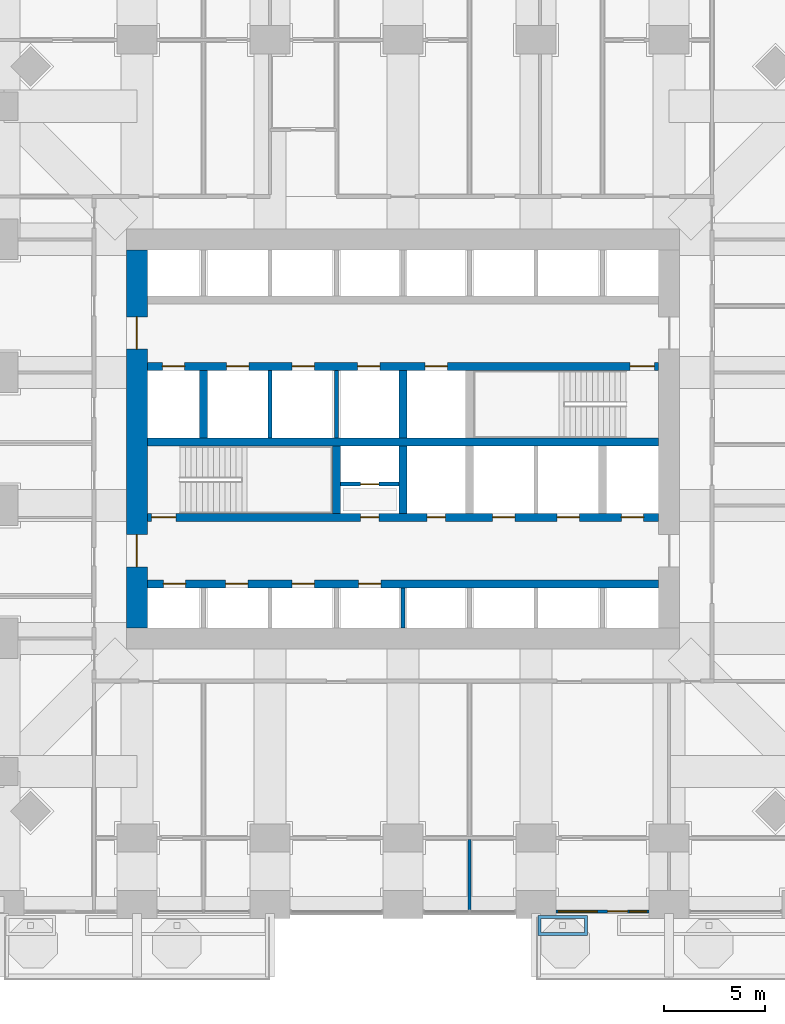
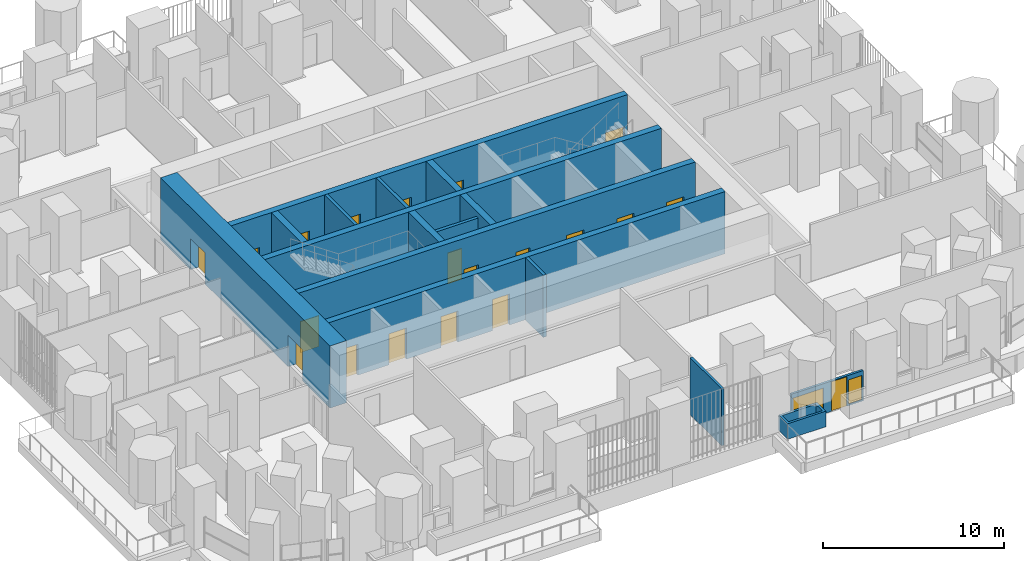
# One storey, part 18 of 27: 20 doors, 16 walls, 2 windows, 22 openings.
"""IFC4 building model written with IfcOpenShell, lengths in metres."""

import ifcopenshell
import ifcopenshell.guid

model = None  # the IFC model being written
_history = None  # IfcOwnerHistory: only IFC2X3 demands one
_inside = {}  # id of a spatial element -> (the spatial element, [elements in it])
_under = {}  # id of a project, library or spatial element -> (it, [spatial elements below it])
_declared = {}  # id of a project -> (the project, [libraries it declares])
_typed = {}  # id of a type object -> (the type object, [elements of that type])
_made_of = {}  # id of a material, layer set ... -> (it, [elements and type objects made of it])


def new_model(schema):
    """Start an empty IFC model of exactly this schema.

    Asked for "IFC4X3", IfcOpenShell would pick the latest addendum, in which some entities
    have other attributes; the version numbers below select the first issue.
    IFC2X3 requires an IfcOwnerHistory on every rooted entity: one is made here for all.
    """
    global model, _history
    if schema == "IFC4X3":
        model = ifcopenshell.file(schema_version=(4, 3, 0, 0))
    else:
        model = ifcopenshell.file(schema=schema)
    _inside.clear()
    _under.clear()
    _declared.clear()
    _typed.clear()
    _made_of.clear()
    _history = None
    if model.schema == "IFC2X3":
        org = make("IfcOrganization", Name="unknown")
        user = make(
            "IfcPersonAndOrganization",
            ThePerson=make("IfcPerson", FamilyName="unknown"),
            TheOrganization=org,
        )
        app = make(
            "IfcApplication",
            ApplicationDeveloper=org,
            Version="unknown",
            ApplicationFullName="unknown",
            ApplicationIdentifier="unknown",
        )
        _history = make(
            "IfcOwnerHistory",
            OwningUser=user,
            OwningApplication=app,
            ChangeAction="ADDED",
            CreationDate=0,
        )
    return model


def make(cls, **values):
    """One entity of the class cls with the attributes given. An attribute that is None is left unset."""
    return model.create_entity(
        cls, **{name: value for name, value in values.items() if value is not None}
    )


def rooted(cls, **values):
    """An entity with a GlobalId (a new one), such as an element, a storey or a relation."""
    return make(cls, GlobalId=ifcopenshell.guid.new(), OwnerHistory=_history, **values)


def si_unit(unit_type, name, prefix=None):
    """IfcSIUnit, for example si_unit("LENGTHUNIT", "METRE", prefix="MILLI")."""
    return make("IfcSIUnit", UnitType=unit_type, Prefix=prefix, Name=name)


def assignment(units):
    """IfcUnitAssignment: the units of a project."""
    return None if units is None else make("IfcUnitAssignment", Units=units)


def point(xyz):
    """IfcCartesianPoint."""
    return None if xyz is None else make("IfcCartesianPoint", Coordinates=xyz)


def direction(xyz):
    """IfcDirection."""
    return None if xyz is None else make("IfcDirection", DirectionRatios=xyz)


def frame(location, z_axis=None, x_axis=None):
    """IfcAxis2Placement3D, a coordinate frame: its origin and axes. An axis left out is left unset."""
    return make(
        "IfcAxis2Placement3D",
        Location=point(location),
        Axis=direction(z_axis),
        RefDirection=direction(x_axis),
    )


def frame_2d(location, x_axis=None):
    """IfcAxis2Placement2D, a coordinate frame in the plane: its origin and x axis."""
    return make(
        "IfcAxis2Placement2D", Location=point(location), RefDirection=direction(x_axis)
    )


def origin():
    """The frame at (0, 0, 0) with its axes left unset."""
    return frame((0.0, 0.0, 0.0))


def place(relative_to, where):
    """IfcLocalPlacement: puts the frame where relative to a parent placement (None: the world)."""
    return make(
        "IfcLocalPlacement", PlacementRelTo=relative_to, RelativePlacement=where
    )


def context(
    kind, dimensions, precision=None, world=None, true_north=None, identifier=None
):
    """IfcGeometricRepresentationContext, for example the 3D "Model" context."""
    return make(
        "IfcGeometricRepresentationContext",
        ContextIdentifier=identifier,
        ContextType=kind,
        CoordinateSpaceDimension=dimensions,
        Precision=precision,
        WorldCoordinateSystem=world,
        TrueNorth=true_north,
    )


def subcontext(parent, identifier, kind, view, scale=None):
    """IfcGeometricRepresentationSubContext, for example "Body" below "Model"."""
    return make(
        "IfcGeometricRepresentationSubContext",
        ContextIdentifier=identifier,
        ContextType=kind,
        ParentContext=parent,
        TargetScale=scale,
        TargetView=view,
    )


def project(units=None, contexts=None):
    """IfcProject with its units and contexts."""
    return rooted(
        "IfcProject",
        Name="project",
        RepresentationContexts=contexts,
        UnitsInContext=assignment(units),
    )


def spatial(cls, under=None, at=None, **own):
    """A site, building, storey or space (cls), placed at a placement, below another one or the project."""
    s = rooted(cls, ObjectPlacement=at, **own)
    if under is not None:
        _under.setdefault(under.id(), (under, []))[1].append(s)
    return s


def polyline(points):
    """IfcPolyline through the points."""
    return make("IfcPolyline", Points=[point(p) for p in points])


def profile(cls, at=None, kind="AREA", **sizes):
    """A parametric profile (cls). Its sizes go by their IFC names, for example OverallWidth=200.0."""
    return make(cls, ProfileType=kind, Position=at, **sizes)


def rectangle(**sizes):
    """IfcRectangleProfileDef."""
    return profile("IfcRectangleProfileDef", **sizes)


def outline(outer, holes=None, kind="AREA"):
    """IfcArbitraryClosedProfileDef: a profile drawn as a closed curve; with holes, ...WithVoids."""
    if holes is None:
        return make("IfcArbitraryClosedProfileDef", ProfileType=kind, OuterCurve=outer)
    return make(
        "IfcArbitraryProfileDefWithVoids",
        ProfileType=kind,
        OuterCurve=outer,
        InnerCurves=holes,
    )


def extrude(swept, where, along, depth):
    """IfcExtrudedAreaSolid: the profile swept, set in the frame where, extruded along a direction by depth."""
    return make(
        "IfcExtrudedAreaSolid",
        SweptArea=swept,
        Position=where,
        ExtrudedDirection=direction(along),
        Depth=depth,
    )


def shape(context_of_items, identifier, shape_type, items):
    """IfcShapeRepresentation: the items that make up one representation, for example the "Body"."""
    return make(
        "IfcShapeRepresentation",
        ContextOfItems=context_of_items,
        RepresentationIdentifier=identifier,
        RepresentationType=shape_type,
        Items=items,
    )


def material(Name=None, Category=None):
    """IfcMaterial."""
    return make("IfcMaterial", Name=Name, Category=Category)


def layer(
    of_material, thickness, ventilated=None, Name=None, Category=None, Priority=None
):
    """IfcMaterialLayer: one layer of a wall or slab, of a material (None: an air gap)."""
    return make(
        "IfcMaterialLayer",
        Material=of_material,
        LayerThickness=thickness,
        IsVentilated=ventilated,
        Name=Name,
        Category=Category,
        Priority=Priority,
    )


def layer_set(layers, Name=None):
    """IfcMaterialLayerSet."""
    return make("IfcMaterialLayerSet", MaterialLayers=layers, LayerSetName=Name)


def made_of(thing, what):
    """Note that an element or type object is made of a material, layer set ...; save() writes the relation."""
    if what is not None:
        _made_of.setdefault(what.id(), (what, []))[1].append(thing)
    return thing


def type_object(cls, material=None, **own):
    """A type object (cls), such as IfcWallType, which elements share."""
    return made_of(rooted(cls, **own), material)


def element(
    cls,
    number,
    at=None,
    inside=None,
    cuts=None,
    type_object=None,
    material=None,
    context=None,
    identifier="Body",
    shape_type=None,
    held_by="IfcProductDefinitionShape",
    body=None,
    shapes=None,
    **own,
):
    """One element of the class cls, such as IfcWall. Its Tag is "e" and its number.

    at: its placement. inside: the storey or other place that contains it. cuts: it is an
    opening in that element (IfcRelVoidsElement). A single representation is given by context,
    identifier, shape_type and body (its items); several are given by shapes. held_by: the class
    of the entity that holds the representations. save() writes the other relations.
    """
    e = rooted(cls, Tag="e%d" % number, ObjectPlacement=at, **own)
    if body is not None:
        shapes = [shape(context, identifier, shape_type, body)]
    if shapes is not None:
        e.Representation = make(held_by, Representations=shapes)
    if inside is not None:
        _inside.setdefault(inside.id(), (inside, []))[1].append(e)
    if cuts is not None:
        rooted(
            "IfcRelVoidsElement", RelatingBuildingElement=cuts, RelatedOpeningElement=e
        )
    if type_object is not None:
        _typed.setdefault(type_object.id(), (type_object, []))[1].append(e)
    return made_of(e, material)


def fill(opening, filler):
    """IfcRelFillsElement: the door or window that sits in an opening."""
    return rooted(
        "IfcRelFillsElement",
        RelatingOpeningElement=opening,
        RelatedBuildingElement=filler,
    )


def aggregate(whole, parts):
    """IfcRelAggregates: a whole, such as a stair, and the parts it consists of."""
    return rooted("IfcRelAggregates", RelatingObject=whole, RelatedObjects=parts)


def save(model, path):
    """Write the relations noted so far, then the file.

    IfcRelAggregates (storeys below a building ...), IfcRelContainedInSpatialStructure (elements
    in a storey), IfcRelDefinesByType, IfcRelAssociatesMaterial and IfcRelDeclares: one each for
    every whole, place, type object, material and project.
    """
    for whole, parts in _under.values():
        aggregate(whole, parts)
    for where, things in _inside.values():
        rooted(
            "IfcRelContainedInSpatialStructure",
            RelatedElements=things,
            RelatingStructure=where,
        )
    for kind, things in _typed.values():
        rooted("IfcRelDefinesByType", RelatedObjects=things, RelatingType=kind)
    for what, things in _made_of.values():
        rooted("IfcRelAssociatesMaterial", RelatedObjects=things, RelatingMaterial=what)
    for by, libraries in _declared.values():
        rooted("IfcRelDeclares", RelatingContext=by, RelatedDefinitions=libraries)
    model.write(path)


model = new_model("IFC4")

# Units and contexts
model_context = context("Model", 3, precision=1e-05, world=origin(), true_north=direction((0.0, 1.0)))
body_context = subcontext(model_context, "Body", "Model", "MODEL_VIEW")
ifc_project = project(units=[si_unit("LENGTHUNIT", "METRE"), si_unit("AREAUNIT", "SQUARE_METRE"), si_unit("VOLUMEUNIT", "CUBIC_METRE"), si_unit("PLANEANGLEUNIT", "RADIAN"), si_unit("MASSUNIT", "GRAM", prefix="KILO")], contexts=[model_context])

# Site, building, storey
site_placement = place(None, origin())
site = spatial("IfcSite", under=ifc_project, at=site_placement, CompositionType="ELEMENT")
building_placement = place(site_placement, origin())
building = spatial("IfcBuilding", under=site, at=building_placement, Name="Cobogo Forest Laboratory Tower", CompositionType="ELEMENT")
storey_placement = place(building_placement, frame((0.0, 0.0, 71.699951171875)))
storey = spatial("IfcBuildingStorey", under=building, at=storey_placement, Name="L16", CompositionType="ELEMENT", Elevation=71.699951171875)

# Wall, openings, doors
ifc_material_1 = material(Name="Concrete HA-50 (C50/60)", Category="concrete")
ifc_layer_1 = layer(ifc_material_1, 0.39990234375)
ifc_layer_set_1 = layer_set([ifc_layer_1], Name="CI400 core inner wall 400")
wall_type_1 = type_object("IfcWallType", Name="CI400 core inner wall 400", PredefinedType="SHEAR", material=ifc_layer_set_1)
wall_1_placement = place(storey_placement, frame((13.72509765625, 15.89990234375, 0.0), z_axis=(0.0, 0.0, 1.0), x_axis=(1.0, 0.0, 0.0)))
wall_1 = element("IfcWall", 1, at=wall_1_placement, inside=storey, type_object=wall_type_1, Name="Core wall CI-15.9 L16", PredefinedType="SHEAR", context=body_context, shape_type="SweptSolid", body=[
    extrude(rectangle(XDim=25.349853515625, YDim=0.39990234375, at=frame_2d((12.6748046875, 0.0))), origin(), (0.0, 0.0, 1.0), 4.199951171875),
])
opening_1_placement = place(wall_1_placement, frame((0.78759765625, 0.0, 0.0)))
opening_1 = element("IfcOpeningElement", 2, at=opening_1_placement, cuts=wall_1, Name="Opening L16-LD-LA1", PredefinedType="OPENING", context=body_context, shape_type="SweptSolid", body=[
    extrude(rectangle(XDim=1.10009765625, YDim=2.10009765625, at=frame_2d((0.550048828125, 1.050048828125))), frame((0.0, 0.2099609375, 0.0), z_axis=(0.0, -1.0, 0.0), x_axis=(1.0, 0.0, 0.0)), (0.0, 0.0, 1.0), 0.419921875),
])
opening_2_placement = place(wall_1_placement, frame((3.875, 0.0, 0.0)))
opening_2 = element("IfcOpeningElement", 3, at=opening_2_placement, cuts=wall_1, Name="Opening L16-LD-LA2", PredefinedType="OPENING", context=body_context, shape_type="SweptSolid", body=[
    extrude(rectangle(XDim=1.10009765625, YDim=2.10009765625, at=frame_2d((0.550048828125, 1.050048828125))), frame((0.0, 0.2099609375, 0.0), z_axis=(0.0, -1.0, 0.0), x_axis=(1.0, 0.0, 0.0)), (0.0, 0.0, 1.0), 0.419921875),
])
opening_3_placement = place(wall_1_placement, frame((7.175048828125, 0.0, 0.0)))
opening_3 = element("IfcOpeningElement", 4, at=opening_3_placement, cuts=wall_1, Name="Opening L16-LD-LA3", PredefinedType="OPENING", context=body_context, shape_type="SweptSolid", body=[
    extrude(rectangle(XDim=1.10009765625, YDim=2.10009765625, at=frame_2d((0.550048828125, 1.050048828125))), frame((0.0, 0.2099609375, 0.0), z_axis=(0.0, -1.0, 0.0), x_axis=(1.0, 0.0, 0.0)), (0.0, 0.0, 1.0), 0.419921875),
])
opening_4_placement = place(wall_1_placement, frame((10.47509765625, 0.0, 0.0)))
opening_4 = element("IfcOpeningElement", 5, at=opening_4_placement, cuts=wall_1, Name="Opening L16-LD-LA4", PredefinedType="OPENING", context=body_context, shape_type="SweptSolid", body=[
    extrude(rectangle(XDim=1.10009765625, YDim=2.10009765625, at=frame_2d((0.550048828125, 1.050048828125))), frame((0.0, 0.2099609375, 0.0), z_axis=(0.0, -1.0, 0.0), x_axis=(1.0, 0.0, 0.0)), (0.0, 0.0, 1.0), 0.419921875),
])
ifc_material_2 = material(Name="Stainless steel lift door", Category="steel")
door_type_1 = type_object("IfcDoorType", Name="LD lift landing door 1100", OperationType="DOUBLE_DOOR_SLIDING", PredefinedType="DOOR", material=ifc_material_2)
door_1_placement = place(opening_1_placement, origin())
door_1 = element("IfcDoor", 6, at=door_1_placement, inside=storey, type_object=door_type_1, Name="Lift landing door LA1 L16", OperationType="DOUBLE_DOOR_SLIDING", OverallHeight=2.10009765625, OverallWidth=1.10009765625, PredefinedType="DOOR", context=body_context, shape_type="SweptSolid", body=[
    extrude(rectangle(XDim=1.10009765625, YDim=2.10009765625, at=frame_2d((0.550048828125, 1.050048828125))), frame((0.0, 0.02490234375, 0.0), z_axis=(0.0, -1.0, 0.0), x_axis=(1.0, 0.0, 0.0)), (0.0, 0.0, 1.0), 0.050048828125),
])
fill(opening_1, door_1)
door_2_placement = place(opening_2_placement, origin())
door_2 = element("IfcDoor", 7, at=door_2_placement, inside=storey, type_object=door_type_1, Name="Lift landing door LA2 L16", OperationType="DOUBLE_DOOR_SLIDING", OverallHeight=2.10009765625, OverallWidth=1.10009765625, PredefinedType="DOOR", context=body_context, shape_type="SweptSolid", body=[
    extrude(rectangle(XDim=1.10009765625, YDim=2.10009765625, at=frame_2d((0.550048828125, 1.050048828125))), frame((0.0, 0.02490234375, 0.0), z_axis=(0.0, -1.0, 0.0), x_axis=(1.0, 0.0, 0.0)), (0.0, 0.0, 1.0), 0.050048828125),
])
fill(opening_2, door_2)
door_3_placement = place(opening_3_placement, origin())
door_3 = element("IfcDoor", 8, at=door_3_placement, inside=storey, type_object=door_type_1, Name="Lift landing door LA3 L16", OperationType="DOUBLE_DOOR_SLIDING", OverallHeight=2.10009765625, OverallWidth=1.10009765625, PredefinedType="DOOR", context=body_context, shape_type="SweptSolid", body=[
    extrude(rectangle(XDim=1.10009765625, YDim=2.10009765625, at=frame_2d((0.550048828125, 1.050048828125))), frame((0.0, 0.02490234375, 0.0), z_axis=(0.0, -1.0, 0.0), x_axis=(1.0, 0.0, 0.0)), (0.0, 0.0, 1.0), 0.050048828125),
])
fill(opening_3, door_3)
door_4_placement = place(opening_4_placement, origin())
door_4 = element("IfcDoor", 9, at=door_4_placement, inside=storey, type_object=door_type_1, Name="Lift landing door LA4 L16", OperationType="DOUBLE_DOOR_SLIDING", OverallHeight=2.10009765625, OverallWidth=1.10009765625, PredefinedType="DOOR", context=body_context, shape_type="SweptSolid", body=[
    extrude(rectangle(XDim=1.10009765625, YDim=2.10009765625, at=frame_2d((0.550048828125, 1.050048828125))), frame((0.0, 0.02490234375, 0.0), z_axis=(0.0, -1.0, 0.0), x_axis=(1.0, 0.0, 0.0)), (0.0, 0.0, 1.0), 0.050048828125),
])
fill(opening_4, door_4)

wall_2_placement = place(storey_placement, frame((13.72509765625, 19.199951171875, 0.0), z_axis=(0.0, 0.0, 1.0), x_axis=(1.0, 0.0, 0.0)))
wall_2 = element("IfcWall", 10, at=wall_2_placement, inside=storey, type_object=wall_type_1, Name="Core wall CI-19.2 L16", PredefinedType="SHEAR", context=body_context, shape_type="SweptSolid", body=[
    extrude(rectangle(XDim=25.349853515625, YDim=0.39990234375, at=frame_2d((12.6748046875, 0.0))), origin(), (0.0, 0.0, 1.0), 4.199951171875),
])
opening_5_placement = place(wall_2_placement, frame((10.574951171875, 0.0, 0.0)))
opening_5 = element("IfcOpeningElement", 11, at=opening_5_placement, cuts=wall_2, Name="Opening L16-D22", PredefinedType="OPENING", context=body_context, shape_type="SweptSolid", body=[
    extrude(rectangle(XDim=0.89990234375, YDim=2.10009765625, at=frame_2d((0.449951171875, 1.050048828125))), frame((0.0, 0.2099609375, 0.0), z_axis=(0.0, -1.0, 0.0), x_axis=(1.0, 0.0, 0.0)), (0.0, 0.0, 1.0), 0.419921875),
])
opening_6_placement = place(wall_2_placement, frame((13.875, 0.0, 0.0)))
opening_6 = element("IfcOpeningElement", 12, at=opening_6_placement, cuts=wall_2, Name="Opening L16-D23", PredefinedType="OPENING", context=body_context, shape_type="SweptSolid", body=[
    extrude(rectangle(XDim=0.89990234375, YDim=2.10009765625, at=frame_2d((0.449951171875, 1.050048828125))), frame((0.0, 0.2099609375, 0.0), z_axis=(0.0, -1.0, 0.0), x_axis=(1.0, 0.0, 0.0)), (0.0, 0.0, 1.0), 0.419921875),
])
opening_7_placement = place(wall_2_placement, frame((0.199951171875, 0.0, 0.0)))
opening_7 = element("IfcOpeningElement", 13, at=opening_7_placement, cuts=wall_2, Name="Opening L16-D21", PredefinedType="OPENING", context=body_context, shape_type="SweptSolid", body=[
    extrude(rectangle(XDim=1.199951171875, YDim=2.10009765625, at=frame_2d((0.60009765625, 1.050048828125))), frame((0.0, 0.2099609375, 0.0), z_axis=(0.0, -1.0, 0.0), x_axis=(1.0, 0.0, 0.0)), (0.0, 0.0, 1.0), 0.419921875),
])
opening_8_placement = place(wall_2_placement, frame((23.512451171875, 0.0, 0.0)))
opening_8 = element("IfcOpeningElement", 14, at=opening_8_placement, cuts=wall_2, Name="Opening L16-LD-FL2", PredefinedType="OPENING", context=body_context, shape_type="SweptSolid", body=[
    extrude(rectangle(XDim=1.10009765625, YDim=2.10009765625, at=frame_2d((0.550048828125, 1.050048828125))), frame((0.0, 0.2099609375, 0.0), z_axis=(0.0, -1.0, 0.0), x_axis=(1.0, 0.0, 0.0)), (0.0, 0.0, 1.0), 0.419921875),
])
opening_9_placement = place(wall_2_placement, frame((17.125, 0.0, 0.0)))
opening_9 = element("IfcOpeningElement", 15, at=opening_9_placement, cuts=wall_2, Name="Opening L16-LD-LS1", PredefinedType="OPENING", context=body_context, shape_type="SweptSolid", body=[
    extrude(rectangle(XDim=1.10009765625, YDim=2.10009765625, at=frame_2d((0.550048828125, 1.050048828125))), frame((0.0, 0.2099609375, 0.0), z_axis=(0.0, -1.0, 0.0), x_axis=(1.0, 0.0, 0.0)), (0.0, 0.0, 1.0), 0.419921875),
])
opening_10_placement = place(wall_2_placement, frame((20.324951171875, 0.0, 0.0)))
opening_10 = element("IfcOpeningElement", 16, at=opening_10_placement, cuts=wall_2, Name="Opening L16-LD-LS2", PredefinedType="OPENING", context=body_context, shape_type="SweptSolid", body=[
    extrude(rectangle(XDim=1.10009765625, YDim=2.10009765625, at=frame_2d((0.550048828125, 1.050048828125))), frame((0.0, 0.2099609375, 0.0), z_axis=(0.0, -1.0, 0.0), x_axis=(1.0, 0.0, 0.0)), (0.0, 0.0, 1.0), 0.419921875),
])
ifc_material_3 = material(Name="Steel fire door", Category="steel")
door_type_2 = type_object("IfcDoorType", Name="DS1 protected stair door 1200 EI2 60", OperationType="SINGLE_SWING_LEFT", PredefinedType="DOOR", material=ifc_material_3)
door_5_placement = place(opening_7_placement, origin())
door_5 = element("IfcDoor", 17, at=door_5_placement, inside=storey, type_object=door_type_2, Name="Door L16-ST1", OperationType="SINGLE_SWING_LEFT", OverallHeight=2.10009765625, OverallWidth=1.199951171875, PredefinedType="DOOR", context=body_context, shape_type="SweptSolid", body=[
    extrude(rectangle(XDim=1.199951171875, YDim=2.10009765625, at=frame_2d((0.60009765625, 1.050048828125))), frame((0.0, 0.02490234375, 0.0), z_axis=(0.0, -1.0, 0.0), x_axis=(1.0, 0.0, 0.0)), (0.0, 0.0, 1.0), 0.050048828125),
])
fill(opening_7, door_5)
door_type_3 = type_object("IfcDoorType", Name="FD4 riser access door 900 EI2 60", OperationType="SINGLE_SWING_LEFT", PredefinedType="DOOR", material=ifc_material_3)
door_6_placement = place(opening_5_placement, origin())
door_6 = element("IfcDoor", 18, at=door_6_placement, inside=storey, type_object=door_type_3, Name="Door L16-R1V", OperationType="SINGLE_SWING_LEFT", OverallHeight=2.10009765625, OverallWidth=0.89990234375, PredefinedType="DOOR", context=body_context, shape_type="SweptSolid", body=[
    extrude(rectangle(XDim=0.89990234375, YDim=2.10009765625, at=frame_2d((0.449951171875, 1.050048828125))), frame((0.0, 0.02490234375, 0.0), z_axis=(0.0, -1.0, 0.0), x_axis=(1.0, 0.0, 0.0)), (0.0, 0.0, 1.0), 0.050048828125),
])
fill(opening_5, door_6)
door_7_placement = place(opening_6_placement, origin())
door_7 = element("IfcDoor", 19, at=door_7_placement, inside=storey, type_object=door_type_3, Name="Door L16-R2", OperationType="SINGLE_SWING_RIGHT", OverallHeight=2.10009765625, OverallWidth=0.89990234375, PredefinedType="DOOR", context=body_context, shape_type="SweptSolid", body=[
    extrude(rectangle(XDim=0.89990234375, YDim=2.10009765625, at=frame_2d((0.449951171875, 1.050048828125))), frame((0.0, 0.02490234375, 0.0), z_axis=(0.0, -1.0, 0.0), x_axis=(1.0, 0.0, 0.0)), (0.0, 0.0, 1.0), 0.050048828125),
])
fill(opening_6, door_7)
door_8_placement = place(opening_8_placement, origin())
door_8 = element("IfcDoor", 20, at=door_8_placement, inside=storey, type_object=door_type_1, Name="Lift landing door FL2 L16", OperationType="DOUBLE_DOOR_SLIDING", OverallHeight=2.10009765625, OverallWidth=1.10009765625, PredefinedType="DOOR", context=body_context, shape_type="SweptSolid", body=[
    extrude(rectangle(XDim=1.10009765625, YDim=2.10009765625, at=frame_2d((0.550048828125, 1.050048828125))), frame((0.0, 0.02490234375, 0.0), z_axis=(0.0, -1.0, 0.0), x_axis=(1.0, 0.0, 0.0)), (0.0, 0.0, 1.0), 0.050048828125),
])
fill(opening_8, door_8)
door_9_placement = place(opening_9_placement, origin())
door_9 = element("IfcDoor", 21, at=door_9_placement, inside=storey, type_object=door_type_1, Name="Lift landing door LS1 L16", OperationType="DOUBLE_DOOR_SLIDING", OverallHeight=2.10009765625, OverallWidth=1.10009765625, PredefinedType="DOOR", context=body_context, shape_type="SweptSolid", body=[
    extrude(rectangle(XDim=1.10009765625, YDim=2.10009765625, at=frame_2d((0.550048828125, 1.050048828125))), frame((0.0, 0.02490234375, 0.0), z_axis=(0.0, -1.0, 0.0), x_axis=(1.0, 0.0, 0.0)), (0.0, 0.0, 1.0), 0.050048828125),
])
fill(opening_9, door_9)
door_10_placement = place(opening_10_placement, origin())
door_10 = element("IfcDoor", 22, at=door_10_placement, inside=storey, type_object=door_type_1, Name="Lift landing door LS2 L16", OperationType="DOUBLE_DOOR_SLIDING", OverallHeight=2.10009765625, OverallWidth=1.10009765625, PredefinedType="DOOR", context=body_context, shape_type="SweptSolid", body=[
    extrude(rectangle(XDim=1.10009765625, YDim=2.10009765625, at=frame_2d((0.550048828125, 1.050048828125))), frame((0.0, 0.02490234375, 0.0), z_axis=(0.0, -1.0, 0.0), x_axis=(1.0, 0.0, 0.0)), (0.0, 0.0, 1.0), 0.050048828125),
])
fill(opening_10, door_10)

# Wall
wall_3_placement = place(storey_placement, frame((13.72509765625, 22.949951171875, 0.0), z_axis=(0.0, 0.0, 1.0), x_axis=(1.0, 0.0, 0.0)))
element("IfcWall", 23, at=wall_3_placement, inside=storey, type_object=wall_type_1, Name="Core wall CI-22.95 L16", PredefinedType="SHEAR", context=body_context, shape_type="SweptSolid", body=[
    extrude(rectangle(XDim=25.349853515625, YDim=0.39990234375, at=frame_2d((12.6748046875, 0.0))), origin(), (0.0, 0.0, 1.0), 4.199951171875),
])

# Wall, openings, doors
wall_4_placement = place(storey_placement, frame((13.72509765625, 26.699951171875, 0.0), z_axis=(0.0, 0.0, 1.0), x_axis=(1.0, 0.0, 0.0)))
wall_4 = element("IfcWall", 24, at=wall_4_placement, inside=storey, type_object=wall_type_1, Name="Core wall CI-26.7 L16", PredefinedType="SHEAR", context=body_context, shape_type="SweptSolid", body=[
    extrude(rectangle(XDim=25.349853515625, YDim=0.39990234375, at=frame_2d((12.6748046875, 0.0))), origin(), (0.0, 0.0, 1.0), 4.199951171875),
])
opening_11_placement = place(wall_4_placement, frame((23.949951171875, 0.0, 0.0)))
opening_11 = element("IfcOpeningElement", 25, at=opening_11_placement, cuts=wall_4, Name="Opening L16-D29", PredefinedType="OPENING", context=body_context, shape_type="SweptSolid", body=[
    extrude(rectangle(XDim=1.199951171875, YDim=2.10009765625, at=frame_2d((0.60009765625, 1.050048828125))), frame((0.0, 0.2099609375, 0.0), z_axis=(0.0, -1.0, 0.0), x_axis=(1.0, 0.0, 0.0)), (0.0, 0.0, 1.0), 0.419921875),
])
opening_12_placement = place(wall_4_placement, frame((0.737548828125, 0.0, 0.0)))
opening_12 = element("IfcOpeningElement", 26, at=opening_12_placement, cuts=wall_4, Name="Opening L16-LD-FL1", PredefinedType="OPENING", context=body_context, shape_type="SweptSolid", body=[
    extrude(rectangle(XDim=1.10009765625, YDim=2.10009765625, at=frame_2d((0.550048828125, 1.050048828125))), frame((0.0, 0.2099609375, 0.0), z_axis=(0.0, -1.0, 0.0), x_axis=(1.0, 0.0, 0.0)), (0.0, 0.0, 1.0), 0.419921875),
])
opening_13_placement = place(wall_4_placement, frame((3.925048828125, 0.0, 0.0)))
opening_13 = element("IfcOpeningElement", 27, at=opening_13_placement, cuts=wall_4, Name="Opening L16-LD-LS3", PredefinedType="OPENING", context=body_context, shape_type="SweptSolid", body=[
    extrude(rectangle(XDim=1.10009765625, YDim=2.10009765625, at=frame_2d((0.550048828125, 1.050048828125))), frame((0.0, 0.2099609375, 0.0), z_axis=(0.0, -1.0, 0.0), x_axis=(1.0, 0.0, 0.0)), (0.0, 0.0, 1.0), 0.419921875),
])
opening_14_placement = place(wall_4_placement, frame((7.175048828125, 0.0, 0.0)))
opening_14 = element("IfcOpeningElement", 28, at=opening_14_placement, cuts=wall_4, Name="Opening L16-LD-LS4", PredefinedType="OPENING", context=body_context, shape_type="SweptSolid", body=[
    extrude(rectangle(XDim=1.10009765625, YDim=2.10009765625, at=frame_2d((0.550048828125, 1.050048828125))), frame((0.0, 0.2099609375, 0.0), z_axis=(0.0, -1.0, 0.0), x_axis=(1.0, 0.0, 0.0)), (0.0, 0.0, 1.0), 0.419921875),
])
opening_15_placement = place(wall_4_placement, frame((10.425048828125, 0.0, 0.0)))
opening_15 = element("IfcOpeningElement", 29, at=opening_15_placement, cuts=wall_4, Name="Opening L16-LD-LS5", PredefinedType="OPENING", context=body_context, shape_type="SweptSolid", body=[
    extrude(rectangle(XDim=1.10009765625, YDim=2.10009765625, at=frame_2d((0.550048828125, 1.050048828125))), frame((0.0, 0.2099609375, 0.0), z_axis=(0.0, -1.0, 0.0), x_axis=(1.0, 0.0, 0.0)), (0.0, 0.0, 1.0), 0.419921875),
])
opening_16_placement = place(wall_4_placement, frame((13.77490234375, 0.0, 0.0)))
opening_16 = element("IfcOpeningElement", 30, at=opening_16_placement, cuts=wall_4, Name="Opening L16-LD-LS6", PredefinedType="OPENING", context=body_context, shape_type="SweptSolid", body=[
    extrude(rectangle(XDim=1.10009765625, YDim=2.10009765625, at=frame_2d((0.550048828125, 1.050048828125))), frame((0.0, 0.2099609375, 0.0), z_axis=(0.0, -1.0, 0.0), x_axis=(1.0, 0.0, 0.0)), (0.0, 0.0, 1.0), 0.419921875),
])
door_11_placement = place(opening_11_placement, origin())
door_11 = element("IfcDoor", 31, at=door_11_placement, inside=storey, type_object=door_type_2, Name="Door L16-ST2", OperationType="SINGLE_SWING_RIGHT", OverallHeight=2.10009765625, OverallWidth=1.199951171875, PredefinedType="DOOR", context=body_context, shape_type="SweptSolid", body=[
    extrude(rectangle(XDim=1.199951171875, YDim=2.10009765625, at=frame_2d((0.60009765625, 1.050048828125))), frame((0.0, 0.02490234375, 0.0), z_axis=(0.0, -1.0, 0.0), x_axis=(1.0, 0.0, 0.0)), (0.0, 0.0, 1.0), 0.050048828125),
])
fill(opening_11, door_11)
door_12_placement = place(opening_12_placement, origin())
door_12 = element("IfcDoor", 32, at=door_12_placement, inside=storey, type_object=door_type_1, Name="Lift landing door FL1 L16", OperationType="DOUBLE_DOOR_SLIDING", OverallHeight=2.10009765625, OverallWidth=1.10009765625, PredefinedType="DOOR", context=body_context, shape_type="SweptSolid", body=[
    extrude(rectangle(XDim=1.10009765625, YDim=2.10009765625, at=frame_2d((0.550048828125, 1.050048828125))), frame((0.0, 0.02490234375, 0.0), z_axis=(0.0, -1.0, 0.0), x_axis=(1.0, 0.0, 0.0)), (0.0, 0.0, 1.0), 0.050048828125),
])
fill(opening_12, door_12)
door_13_placement = place(opening_13_placement, origin())
door_13 = element("IfcDoor", 33, at=door_13_placement, inside=storey, type_object=door_type_1, Name="Lift landing door LS3 L16", OperationType="DOUBLE_DOOR_SLIDING", OverallHeight=2.10009765625, OverallWidth=1.10009765625, PredefinedType="DOOR", context=body_context, shape_type="SweptSolid", body=[
    extrude(rectangle(XDim=1.10009765625, YDim=2.10009765625, at=frame_2d((0.550048828125, 1.050048828125))), frame((0.0, 0.02490234375, 0.0), z_axis=(0.0, -1.0, 0.0), x_axis=(1.0, 0.0, 0.0)), (0.0, 0.0, 1.0), 0.050048828125),
])
fill(opening_13, door_13)
door_14_placement = place(opening_14_placement, origin())
door_14 = element("IfcDoor", 34, at=door_14_placement, inside=storey, type_object=door_type_1, Name="Lift landing door LS4 L16", OperationType="DOUBLE_DOOR_SLIDING", OverallHeight=2.10009765625, OverallWidth=1.10009765625, PredefinedType="DOOR", context=body_context, shape_type="SweptSolid", body=[
    extrude(rectangle(XDim=1.10009765625, YDim=2.10009765625, at=frame_2d((0.550048828125, 1.050048828125))), frame((0.0, 0.02490234375, 0.0), z_axis=(0.0, -1.0, 0.0), x_axis=(1.0, 0.0, 0.0)), (0.0, 0.0, 1.0), 0.050048828125),
])
fill(opening_14, door_14)
door_15_placement = place(opening_15_placement, origin())
door_15 = element("IfcDoor", 35, at=door_15_placement, inside=storey, type_object=door_type_1, Name="Lift landing door LS5 L16", OperationType="DOUBLE_DOOR_SLIDING", OverallHeight=2.10009765625, OverallWidth=1.10009765625, PredefinedType="DOOR", context=body_context, shape_type="SweptSolid", body=[
    extrude(rectangle(XDim=1.10009765625, YDim=2.10009765625, at=frame_2d((0.550048828125, 1.050048828125))), frame((0.0, 0.02490234375, 0.0), z_axis=(0.0, -1.0, 0.0), x_axis=(1.0, 0.0, 0.0)), (0.0, 0.0, 1.0), 0.050048828125),
])
fill(opening_15, door_15)
door_16_placement = place(opening_16_placement, origin())
door_16 = element("IfcDoor", 36, at=door_16_placement, inside=storey, type_object=door_type_1, Name="Lift landing door LS6 L16", OperationType="DOUBLE_DOOR_SLIDING", OverallHeight=2.10009765625, OverallWidth=1.10009765625, PredefinedType="DOOR", context=body_context, shape_type="SweptSolid", body=[
    extrude(rectangle(XDim=1.10009765625, YDim=2.10009765625, at=frame_2d((0.550048828125, 1.050048828125))), frame((0.0, 0.02490234375, 0.0), z_axis=(0.0, -1.0, 0.0), x_axis=(1.0, 0.0, 0.0)), (0.0, 0.0, 1.0), 0.050048828125),
])
fill(opening_16, door_16)

# Walls
for number, where, z_axis, x_axis, name in (
    (37, (23.10009765625, 19.39990234375, 0.0), (0.0, 0.0, 1.0), (0.0, 1.0, 0.0), "Core wall CX-23.1 L16"),
    (38, (26.39990234375, 19.39990234375, 0.0), (0.0, 0.0, 1.0), (0.0, 1.0, 0.0), "Core wall CX-26.4S L16"),
    (39, (16.5, 23.14990234375, 0.0), (0.0, 0.0, 1.0), (0.0, 1.0, 0.0), "Core wall CX-16.5 L16"),
    (40, (26.39990234375, 23.14990234375, 0.0), (0.0, 0.0, 1.0), (0.0, 1.0, 0.0), "Core wall CX-26.4N L16"),
):
    element("IfcWall", number, at=place(storey_placement, frame(where, z_axis=z_axis, x_axis=x_axis)), inside=storey, type_object=wall_type_1, Name=name, PredefinedType="SHEAR", context=body_context, shape_type="SweptSolid", body=[
        extrude(rectangle(XDim=3.35009765625, YDim=0.39990234375, at=frame_2d((1.675048828125, 0.0))), origin(), (0.0, 0.0, 1.0), 4.199951171875),
    ])

# Wall, openings, doors
ifc_layer_2 = layer(ifc_material_1, 1.050048828125)
ifc_layer_set_2 = layer_set([ifc_layer_2], Name="CW1050 core outer wall 1050")
wall_type_2 = type_object("IfcWallType", Name="CW1050 core outer wall 1050", PredefinedType="SHEAR", material=ifc_layer_set_2)
wall_5_placement = place(storey_placement, frame((13.199951171875, 32.47509765625, 0.0), z_axis=(0.0, 0.0, 1.0), x_axis=(0.0, -1.0, 0.0)))
wall_5 = element("IfcWall", 41, at=wall_5_placement, inside=storey, type_object=wall_type_2, Name="Core wall CO-W L16", PredefinedType="SHEAR", context=body_context, shape_type="SweptSolid", body=[
    extrude(rectangle(XDim=18.75, YDim=1.050048828125, at=frame_2d((9.375, 0.0))), origin(), (0.0, 0.0, 1.0), 4.199951171875),
])
opening_17_placement = place(wall_5_placement, frame((14.125, 0.0, 0.0)))
opening_17 = element("IfcOpeningElement", 42, at=opening_17_placement, cuts=wall_5, Name="Opening L16-D19", PredefinedType="OPENING", context=body_context, shape_type="SweptSolid", body=[
    extrude(rectangle(XDim=1.60009765625, YDim=2.10009765625, at=frame_2d((0.800048828125, 1.050048828125))), frame((0.0, 0.534912109375, 0.0), z_axis=(0.0, -1.0, 0.0), x_axis=(1.0, 0.0, 0.0)), (0.0, 0.0, 1.0), 1.070068359375),
])
opening_18_placement = place(wall_5_placement, frame((3.324951171875, 0.0, 0.0)))
opening_18 = element("IfcOpeningElement", 43, at=opening_18_placement, cuts=wall_5, Name="Opening L16-D32", PredefinedType="OPENING", context=body_context, shape_type="SweptSolid", body=[
    extrude(rectangle(XDim=1.60009765625, YDim=2.10009765625, at=frame_2d((0.800048828125, 1.050048828125))), frame((0.0, 0.534912109375, 0.0), z_axis=(0.0, -1.0, 0.0), x_axis=(1.0, 0.0, 0.0)), (0.0, 0.0, 1.0), 1.070068359375),
])
door_type_4 = type_object("IfcDoorType", Name="DS2 protected lobby door pair 1600 EI2 60", OperationType="DOUBLE_DOOR_DOUBLE_SWING", PredefinedType="DOOR", material=ifc_material_3)
door_17_placement = place(opening_17_placement, origin())
door_17 = element("IfcDoor", 44, at=door_17_placement, inside=storey, type_object=door_type_4, Name="Door L16-CO-W-S", OperationType="DOUBLE_DOOR_DOUBLE_SWING", OverallHeight=2.10009765625, OverallWidth=1.60009765625, PredefinedType="DOOR", context=body_context, shape_type="SweptSolid", body=[
    extrude(rectangle(XDim=1.60009765625, YDim=2.10009765625, at=frame_2d((0.800048828125, 1.050048828125))), frame((0.0, 0.02490234375, 0.0), z_axis=(0.0, -1.0, 0.0), x_axis=(1.0, 0.0, 0.0)), (0.0, 0.0, 1.0), 0.050048828125),
])
fill(opening_17, door_17)
door_18_placement = place(opening_18_placement, origin())
door_18 = element("IfcDoor", 45, at=door_18_placement, inside=storey, type_object=door_type_4, Name="Door L16-CO-W-N", OperationType="DOUBLE_DOOR_DOUBLE_SWING", OverallHeight=2.10009765625, OverallWidth=1.60009765625, PredefinedType="DOOR", context=body_context, shape_type="SweptSolid", body=[
    extrude(rectangle(XDim=1.60009765625, YDim=2.10009765625, at=frame_2d((0.800048828125, 1.050048828125))), frame((0.0, 0.02490234375, 0.0), z_axis=(0.0, -1.0, 0.0), x_axis=(1.0, 0.0, 0.0)), (0.0, 0.0, 1.0), 0.050048828125),
])
fill(opening_18, door_18)

# Wall, openings, door, windows
ifc_material_4 = material(Name="Aluminium framed glazed screen", Category="aluminium")
ifc_layer_3 = layer(ifc_material_4, 0.14990234375)
ifc_layer_set_3 = layer_set([ifc_layer_3], Name="GS1 glazed door screen 150")
wall_type_3 = type_object("IfcWallType", Name="GS1 glazed door screen 150", PredefinedType="SOLIDWALL", material=ifc_layer_set_3)
wall_6_placement = place(storey_placement, frame((34.0, -0.35009765625, 0.0), z_axis=(0.0, 0.0, 1.0), x_axis=(1.0, 0.0, 0.0)))
wall_6 = element("IfcWall", 46, at=wall_6_placement, inside=storey, type_object=wall_type_3, Name="Door screen BAL-S2 L16", PredefinedType="SOLIDWALL", context=body_context, shape_type="SweptSolid", body=[
    extrude(rectangle(XDim=4.60009765625, YDim=0.14990234375, at=frame_2d((2.300048828125, 0.0))), origin(), (0.0, 0.0, 1.0), 2.050048828125),
])
opening_19_placement = place(wall_6_placement, frame((2.550048828125, 0.0, 0.0)))
opening_19 = element("IfcOpeningElement", 47, at=opening_19_placement, cuts=wall_6, Name="Opening L16-D02", PredefinedType="OPENING", context=body_context, shape_type="SweptSolid", body=[
    extrude(rectangle(XDim=1.0, YDim=2.0, at=frame_2d((0.5, 1.0))), frame((0.0, 0.0849609375, 0.0), z_axis=(0.0, -1.0, 0.0), x_axis=(1.0, 0.0, 0.0)), (0.0, 0.0, 1.0), 0.169921875),
])
opening_20_placement = place(wall_6_placement, frame((0.10009765625, 0.0, 0.10009765625)))
opening_20 = element("IfcOpeningElement", 48, at=opening_20_placement, cuts=wall_6, Name="Opening L16-W03", PredefinedType="OPENING", context=body_context, shape_type="SweptSolid", body=[
    extrude(rectangle(XDim=1.949951171875, YDim=1.64990234375, at=frame_2d((0.97509765625, 0.824951171875))), frame((0.0, 0.0849609375, 0.0), z_axis=(0.0, -1.0, 0.0), x_axis=(1.0, 0.0, 0.0)), (0.0, 0.0, 1.0), 0.169921875),
])
opening_21_placement = place(wall_6_placement, frame((3.64990234375, 0.0, 0.10009765625)))
opening_21 = element("IfcOpeningElement", 49, at=opening_21_placement, cuts=wall_6, Name="Opening L16-W04", PredefinedType="OPENING", context=body_context, shape_type="SweptSolid", body=[
    extrude(rectangle(XDim=0.85009765625, YDim=1.64990234375, at=frame_2d((0.425048828125, 0.824951171875))), frame((0.0, 0.0849609375, 0.0), z_axis=(0.0, -1.0, 0.0), x_axis=(1.0, 0.0, 0.0)), (0.0, 0.0, 1.0), 0.169921875),
])
ifc_material_5 = material(Name="Aluminium glazed door", Category="aluminium")
door_type_5 = type_object("IfcDoorType", Name="DB2 balcony door 1000 glazed 2000 high", OperationType="SINGLE_SWING_LEFT", PredefinedType="DOOR", material=ifc_material_5)
door_19_placement = place(opening_19_placement, origin())
door_19 = element("IfcDoor", 50, at=door_19_placement, inside=storey, type_object=door_type_5, Name="Door L16-BAL-S2", OperationType="SINGLE_SWING_RIGHT", OverallHeight=2.0, OverallWidth=1.0, PredefinedType="DOOR", context=body_context, shape_type="SweptSolid", body=[
    extrude(rectangle(XDim=1.0, YDim=2.0, at=frame_2d((0.5, 1.0))), frame((0.0, 0.02490234375, 0.0), z_axis=(0.0, -1.0, 0.0), x_axis=(1.0, 0.0, 0.0)), (0.0, 0.0, 1.0), 0.050048828125),
])
fill(opening_19, door_19)
ifc_material_6 = material(Name="Aluminium framed glazing", Category="aluminium")
window_type_1 = type_object("IfcWindowType", Name="WG10 fixed glazed light 850x1650", PartitioningType="SINGLE_PANEL", PredefinedType="WINDOW", material=ifc_material_6)
window_1_placement = place(opening_21_placement, origin())
window_1 = element("IfcWindow", 51, at=window_1_placement, inside=storey, type_object=window_type_1, Name="Window L16-BAL-S2-2", OverallHeight=1.64990234375, OverallWidth=0.85009765625, PartitioningType="SINGLE_PANEL", PredefinedType="WINDOW", context=body_context, shape_type="SweptSolid", body=[
    extrude(rectangle(XDim=0.85009765625, YDim=1.64990234375, at=frame_2d((0.425048828125, 0.824951171875))), frame((0.0, 0.030029296875, 0.0), z_axis=(0.0, -1.0, 0.0), x_axis=(1.0, 0.0, 0.0)), (0.0, 0.0, 1.0), 0.06005859375),
])
fill(opening_21, window_1)
window_type_2 = type_object("IfcWindowType", Name="WG9 fixed glazed light 1950x1650", PartitioningType="SINGLE_PANEL", PredefinedType="WINDOW", material=ifc_material_6)
window_2_placement = place(opening_20_placement, origin())
window_2 = element("IfcWindow", 52, at=window_2_placement, inside=storey, type_object=window_type_2, Name="Window L16-BAL-S2-1", OverallHeight=1.64990234375, OverallWidth=1.949951171875, PartitioningType="SINGLE_PANEL", PredefinedType="WINDOW", context=body_context, shape_type="SweptSolid", body=[
    extrude(rectangle(XDim=1.949951171875, YDim=1.64990234375, at=frame_2d((0.97509765625, 0.824951171875))), frame((0.0, 0.030029296875, 0.0), z_axis=(0.0, -1.0, 0.0), x_axis=(1.0, 0.0, 0.0)), (0.0, 0.0, 1.0), 0.06005859375),
])
fill(opening_20, window_2)

# Wall
ifc_material_7 = material(Name="Gypsum board on steel studs", Category="steel")
ifc_layer_4 = layer(ifc_material_7, 0.14990234375)
ifc_layer_set_4 = layer_set([ifc_layer_4], Name="PT1 laboratory partition 150")
wall_type_4 = type_object("IfcWallType", Name="PT1 laboratory partition 150", PredefinedType="PARTITIONING", material=ifc_layer_set_4)
wall_7_placement = place(storey_placement, frame((29.699951171875, -0.27001953125, 0.0), z_axis=(0.0, 0.0, 1.0), x_axis=(0.0, 1.0, 0.0)))
element("IfcWall", 53, at=wall_7_placement, inside=storey, type_object=wall_type_4, Name="Partition CUT-S29.7a-1 L16", PredefinedType="PARTITIONING", context=body_context, shape_type="SweptSolid", body=[
    extrude(rectangle(XDim=3.4951171875, YDim=0.14990234375, at=frame_2d((1.74755859375, 0.0))), origin(), (0.0, 0.0, 1.0), 3.85009765625),
])

# Wall, opening, door
ifc_layer_5 = layer(ifc_material_7, 0.199951171875)
ifc_layer_set_5 = layer_set([ifc_layer_5], Name="PT2 fire-rated corridor partition 200")
wall_type_5 = type_object("IfcWallType", Name="PT2 fire-rated corridor partition 200", PredefinedType="PARTITIONING", material=ifc_layer_set_5)
wall_8_placement = place(storey_placement, frame((23.300048828125, 20.85009765625, 0.0), z_axis=(0.0, 0.0, 1.0), x_axis=(1.0, 0.0, 0.0)))
wall_8 = element("IfcWall", 54, at=wall_8_placement, inside=storey, type_object=wall_type_5, Name="Partition RSPLIT-R1 L16", PredefinedType="PARTITIONING", context=body_context, shape_type="SweptSolid", body=[
    extrude(rectangle(XDim=2.89990234375, YDim=0.199951171875, at=frame_2d((1.449951171875, 0.0))), origin(), (0.0, 0.0, 1.0), 3.85009765625),
])
opening_22_placement = place(wall_8_placement, frame((1.0, 0.0, 0.0)))
opening_22 = element("IfcOpeningElement", 55, at=opening_22_placement, cuts=wall_8, Name="Opening L16-D24", PredefinedType="OPENING", context=body_context, shape_type="SweptSolid", body=[
    extrude(rectangle(XDim=0.89990234375, YDim=2.10009765625, at=frame_2d((0.449951171875, 1.050048828125))), frame((0.0, 0.10986328125, 0.0), z_axis=(0.0, -1.0, 0.0), x_axis=(1.0, 0.0, 0.0)), (0.0, 0.0, 1.0), 0.219970703125),
])
door_20_placement = place(opening_22_placement, origin())
door_20 = element("IfcDoor", 56, at=door_20_placement, inside=storey, type_object=door_type_3, Name="Door L16-R1", OperationType="SINGLE_SWING_RIGHT", OverallHeight=2.10009765625, OverallWidth=0.89990234375, PredefinedType="DOOR", context=body_context, shape_type="SweptSolid", body=[
    extrude(rectangle(XDim=0.89990234375, YDim=2.10009765625, at=frame_2d((0.449951171875, 1.050048828125))), frame((0.0, 0.02490234375, 0.0), z_axis=(0.0, -1.0, 0.0), x_axis=(1.0, 0.0, 0.0)), (0.0, 0.0, 1.0), 0.050048828125),
])
fill(opening_22, door_20)

# Walls
ifc_material_8 = material(Name="Concrete HA-40 (C40/50)", Category="concrete")
ifc_layer_6 = layer(ifc_material_8, 0.14990234375)
ifc_layer_set_6 = layer_set([ifc_layer_6], Name="Planter box 1000x1050")
wall_type_6 = type_object("IfcWallType", Name="Planter box 1000x1050", PredefinedType="USERDEFINED", material=ifc_layer_set_6)
wall_9_placement = place(storey_placement, origin())
element("IfcWall", 57, at=wall_9_placement, inside=storey, type_object=wall_type_6, Name="Planter BAL-S2-1 L16", ObjectType="PLANTER", PredefinedType="USERDEFINED", context=body_context, shape_type="SweptSolid", body=[
    extrude(outline(polyline([(33.10009765625, -1.550048828125), (35.550048828125, -1.550048828125), (35.550048828125, -0.550048828125), (33.10009765625, -0.550048828125), (33.10009765625, -1.550048828125)]), holes=[polyline([(33.25, -1.39990234375), (35.39990234375, -1.39990234375), (35.39990234375, -0.699951171875), (33.25, -0.699951171875), (33.25, -1.39990234375)])]), origin(), (0.0, 0.0, 1.0), 1.050048828125),
])
ifc_material_9 = material(Name="Concrete block", Category="concrete")
ifc_layer_7 = layer(ifc_material_9, 0.199951171875)
ifc_layer_set_7 = layer_set([ifc_layer_7], Name="SW200 lift shaft separator 200")
wall_type_7 = type_object("IfcWallType", Name="SW200 lift shaft separator 200", PredefinedType="PARTITIONING", material=ifc_layer_set_7)
wall_10_placement = place(storey_placement, frame((26.39990234375, 13.72509765625, 0.0), z_axis=(0.0, 0.0, 1.0), x_axis=(0.0, 1.0, 0.0)))
element("IfcWall", 58, at=wall_10_placement, inside=storey, type_object=wall_type_7, Name="Core wall SEP-S4 L16", PredefinedType="PARTITIONING", context=body_context, shape_type="SweptSolid", body=[
    extrude(rectangle(XDim=1.974853515625, YDim=0.199951171875, at=frame_2d((0.9873046875, 0.0))), origin(), (0.0, 0.0, 1.0), 4.199951171875),
])
for number, where, z_axis, x_axis, name in (
    (59, (19.800048828125, 23.14990234375, 0.0), (0.0, 0.0, 1.0), (0.0, 1.0, 0.0), "Core wall SEP-M19.8 L16"),
    (60, (23.10009765625, 23.14990234375, 0.0), (0.0, 0.0, 1.0), (0.0, 1.0, 0.0), "Core wall SEP-M23.1 L16"),
):
    element("IfcWall", number, at=place(storey_placement, frame(where, z_axis=z_axis, x_axis=x_axis)), inside=storey, type_object=wall_type_7, Name=name, PredefinedType="PARTITIONING", context=body_context, shape_type="SweptSolid", body=[
        extrude(rectangle(XDim=3.35009765625, YDim=0.199951171875, at=frame_2d((1.675048828125, 0.0))), origin(), (0.0, 0.0, 1.0), 4.199951171875),
    ])

save(model, "model.ifc")
